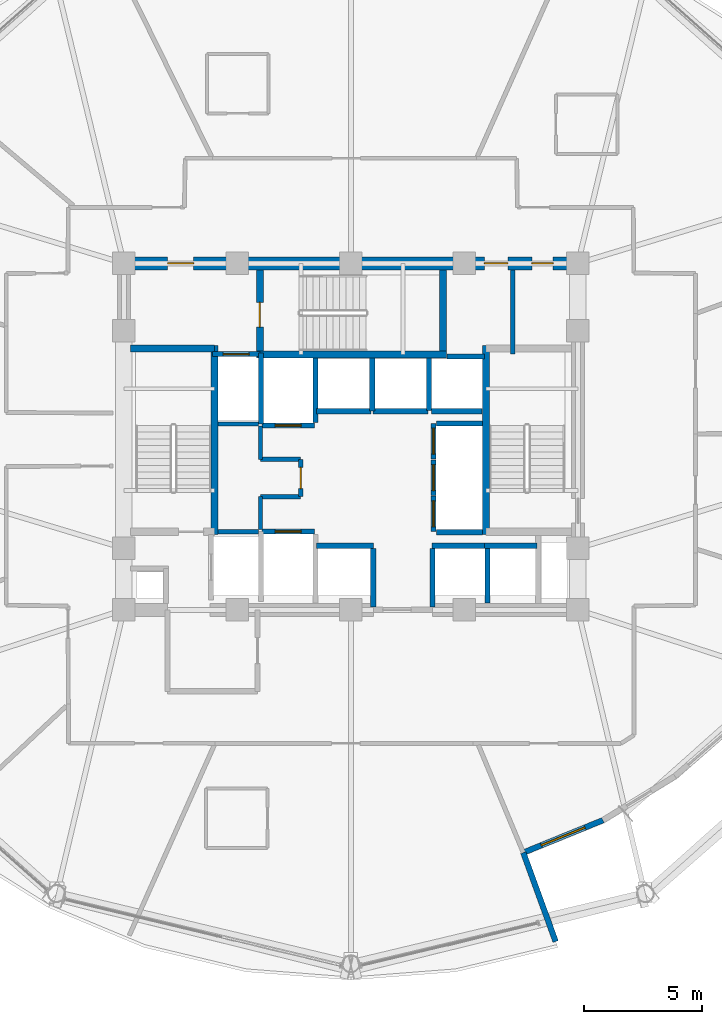
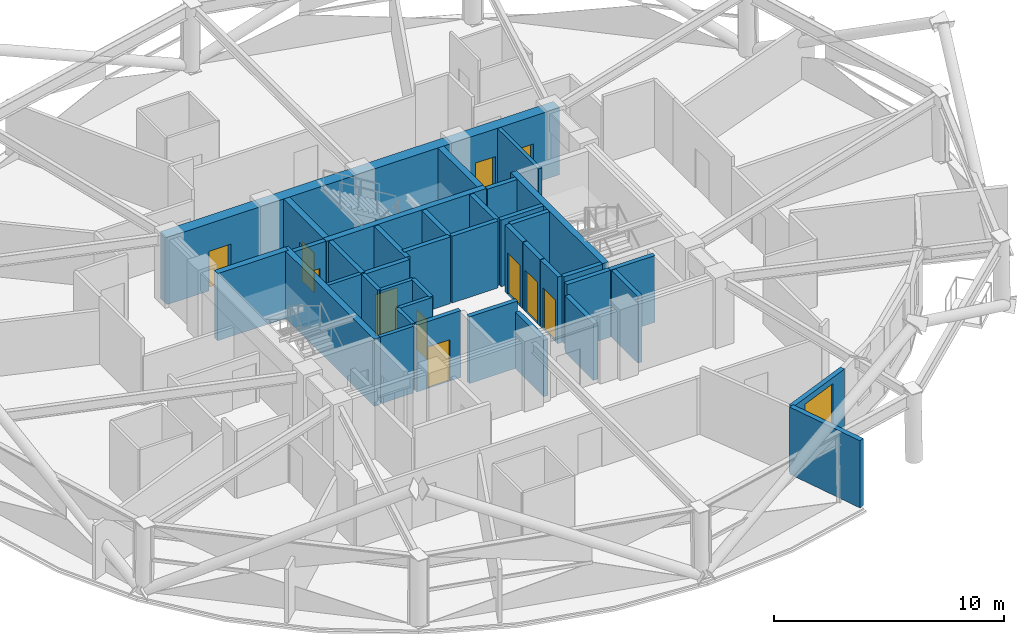
# One storey, part 11 of 17: 39 walls, 11 doors, 1 window, 12 openings.
"""IFC4 building model written with IfcOpenShell, lengths in metres."""

from ifc_helpers import new_model, si_unit, direction, frame, frame_2d, origin, place, context, subcontext, project, spatial, rectangle, extrude, material, layer, layer_set, type_object, element, fill, save


model = new_model("IFC4")

# Units and contexts
model_context = context("Model", 3, precision=1e-05, world=origin(), true_north=direction((0.0, 1.0)))
body_context = subcontext(model_context, "Body", "Model", "MODEL_VIEW")
ifc_project = project(units=[si_unit("LENGTHUNIT", "METRE"), si_unit("AREAUNIT", "SQUARE_METRE"), si_unit("VOLUMEUNIT", "CUBIC_METRE"), si_unit("PLANEANGLEUNIT", "RADIAN"), si_unit("MASSUNIT", "GRAM", prefix="KILO")], contexts=[model_context])

# Site, building, storey
site_placement = place(None, origin())
site = spatial("IfcSite", under=ifc_project, at=site_placement, CompositionType="ELEMENT")
building_placement = place(site_placement, origin())
building = spatial("IfcBuilding", under=site, at=building_placement, Name="Vantalir Tower", CompositionType="ELEMENT")
storey_placement = place(building_placement, frame((0.0, 0.0, 142.199951171875)))
storey = spatial("IfcBuildingStorey", under=building, at=storey_placement, Name="L35", CompositionType="ELEMENT", Elevation=142.199951171875)

# Wall, openings, doors
ifc_material_1 = material(Name="Concrete C60/75", Category="concrete")
ifc_layer_1 = layer(ifc_material_1, 0.550048828125)
ifc_layer_set_1 = layer_set([ifc_layer_1], Name="Concrete C60/75")
wall_type_1 = type_object("IfcWallType", Name="WL-CORE-550", PredefinedType="SHEAR", material=ifc_layer_set_1)
wall_1_placement = place(storey_placement, frame((21.625, 32.449951171875, 0.0), z_axis=(0.0, 0.0, 1.0), x_axis=(1.0, 0.0, 0.0)))
wall_1 = element("IfcWall", 1, at=wall_1_placement, inside=storey, type_object=wall_type_1, Name="L35 Core Shear Wall North", PredefinedType="SHEAR", context=body_context, shape_type="SweptSolid", body=[
    extrude(rectangle(XDim=19.75, YDim=0.550048828125, at=frame_2d((9.875, 0.0))), origin(), (0.0, 0.0, 1.0), 3.570068359375),
])
opening_1_placement = place(wall_1_placement, frame((2.125, 0.0, 0.0)))
opening_1 = element("IfcOpeningElement", 2, at=opening_1_placement, cuts=wall_1, Name="Opening D-FFL", PredefinedType="OPENING", context=body_context, shape_type="SweptSolid", body=[
    extrude(rectangle(XDim=1.10009765625, YDim=2.10009765625, at=frame_2d((0.550048828125, 1.050048828125))), frame((0.0, 0.284912109375, 0.0), z_axis=(0.0, -1.0, 0.0), x_axis=(1.0, 0.0, 0.0)), (0.0, 0.0, 1.0), 0.570068359375),
])
opening_2_placement = place(wall_1_placement, frame((15.514892578125, 0.0, 0.0)))
opening_2 = element("IfcOpeningElement", 3, at=opening_2_placement, cuts=wall_1, Name="Opening D-GUEST", PredefinedType="OPENING", context=body_context, shape_type="SweptSolid", body=[
    extrude(rectangle(XDim=1.0, YDim=2.10009765625, at=frame_2d((0.5, 1.050048828125))), frame((0.0, 0.284912109375, 0.0), z_axis=(0.0, -1.0, 0.0), x_axis=(1.0, 0.0, 0.0)), (0.0, 0.0, 1.0), 0.570068359375),
])
opening_3_placement = place(wall_1_placement, frame((17.52490234375, 0.0, 0.0)))
opening_3 = element("IfcOpeningElement", 4, at=opening_3_placement, cuts=wall_1, Name="Opening D-CR", PredefinedType="OPENING", context=body_context, shape_type="SweptSolid", body=[
    extrude(rectangle(XDim=0.89990234375, YDim=2.10009765625, at=frame_2d((0.449951171875, 1.050048828125))), frame((0.0, 0.284912109375, 0.0), z_axis=(0.0, -1.0, 0.0), x_axis=(1.0, 0.0, 0.0)), (0.0, 0.0, 1.0), 0.570068359375),
])
ifc_material_2 = material(Name="Fire-rated steel core service door", Category="steel")
door_type_1 = type_object("IfcDoorType", Name="DR-CORE-SERV-900", OperationType="NOTDEFINED", PredefinedType="DOOR", material=ifc_material_2)
door_1_placement = place(opening_3_placement, frame((0.89990234375, 0.0, 0.0), z_axis=(0.0, 0.0, 1.0), x_axis=(-1.0, 0.0, 0.0)))
door_1 = element("IfcDoor", 5, at=door_1_placement, inside=storey, type_object=door_type_1, Name="L35 Housekeeping and Linen Room Door", OperationType="SINGLE_SWING_RIGHT", OverallHeight=2.10009765625, OverallWidth=0.89990234375, PredefinedType="DOOR", context=body_context, shape_type="SweptSolid", body=[
    extrude(rectangle(XDim=0.89990234375, YDim=2.10009765625, at=frame_2d((0.449951171875, 1.050048828125))), frame((0.0, 0.02490234375, 0.0), z_axis=(0.0, -1.0, 0.0), x_axis=(1.0, 0.0, 0.0)), (0.0, 0.0, 1.0), 0.050048828125),
])
fill(opening_3, door_1)
ifc_material_3 = material(Name="Fire-rated acoustic steel door", Category="steel")
door_type_2 = type_object("IfcDoorType", Name="DR-FIRE-LOBBY-1100", OperationType="NOTDEFINED", PredefinedType="DOOR", material=ifc_material_3)
door_2_placement = place(opening_1_placement, frame((1.10009765625, 0.0, 0.0), z_axis=(0.0, 0.0, 1.0), x_axis=(-1.0, 0.0, 0.0)))
door_2 = element("IfcDoor", 6, at=door_2_placement, inside=storey, type_object=door_type_2, Name="L35 Firefighting Lobby East Access Door", OperationType="SINGLE_SWING_LEFT", OverallHeight=2.10009765625, OverallWidth=1.10009765625, PredefinedType="DOOR", context=body_context, shape_type="SweptSolid", body=[
    extrude(rectangle(XDim=1.10009765625, YDim=2.10009765625, at=frame_2d((0.550048828125, 1.050048828125))), frame((0.0, 0.02490234375, 0.0), z_axis=(0.0, -1.0, 0.0), x_axis=(1.0, 0.0, 0.0)), (0.0, 0.0, 1.0), 0.050048828125),
])
fill(opening_1, door_2)
ifc_material_4 = material(Name="Solid-core teak veneer acoustic fire door", Category="wood")
door_type_3 = type_object("IfcDoorType", Name="DR-GUEST-ENTRY-1000", OperationType="NOTDEFINED", PredefinedType="DOOR", material=ifc_material_4)
door_3_placement = place(opening_2_placement, frame((1.0, 0.0, 0.0), z_axis=(0.0, 0.0, 1.0), x_axis=(-1.0, 0.0, 0.0)))
door_3 = element("IfcDoor", 7, at=door_3_placement, inside=storey, type_object=door_type_3, Name="L35 High-Rise Lift Lobby Door", OperationType="SINGLE_SWING_LEFT", OverallHeight=2.10009765625, OverallWidth=1.0, PredefinedType="DOOR", context=body_context, shape_type="SweptSolid", body=[
    extrude(rectangle(XDim=1.0, YDim=2.10009765625, at=frame_2d((0.5, 1.050048828125))), frame((0.0, 0.02490234375, 0.0), z_axis=(0.0, -1.0, 0.0), x_axis=(1.0, 0.0, 0.0)), (0.0, 0.0, 1.0), 0.050048828125),
])
fill(opening_2, door_3)

# Wall
ifc_material_5 = material(Name="Precast concrete C40/50 insulated sky-garden wall", Category="concrete")
ifc_layer_2 = layer(ifc_material_5, 0.239990234375)
ifc_layer_set_2 = layer_set([ifc_layer_2], Name="Precast concrete C40/50 insulated sky-garden wall")
wall_type_2 = type_object("IfcWallType", Name="WL-EXT-SG-240", PredefinedType="SOLIDWALL", material=ifc_layer_set_2)
wall_2_placement = place(storey_placement, frame((40.158935546875, 3.77197265625, 0.0), z_axis=(0.0, 0.0, 1.0), x_axis=(-0.341963571582, 0.939713209288, 0.0)))
element("IfcWall", 8, at=wall_2_placement, inside=storey, type_object=wall_type_2, Name="L35 SG2 Sky-Garden Return Wall A", PredefinedType="SOLIDWALL", context=body_context, shape_type="SweptSolid", body=[
    extrude(rectangle(XDim=4.000244140625, YDim=0.239990234375, at=frame_2d((2.0, 0.0))), origin(), (0.0, 0.0, 1.0), 3.570068359375),
])

# Wall, opening, window
wall_3_placement = place(storey_placement, frame((38.791015625, 7.531005859375, 0.0), z_axis=(0.0, 0.0, 1.0), x_axis=(0.926307714527, 0.37676785692, 0.0)))
wall_3 = element("IfcWall", 9, at=wall_3_placement, inside=storey, type_object=wall_type_2, Name="L35 SG2 Sky-Garden Lounge Wall 1", PredefinedType="SOLIDWALL", context=body_context, shape_type="SweptSolid", body=[
    extrude(rectangle(XDim=3.6357421875, YDim=0.239990234375, at=frame_2d((1.81787109375, 0.0))), origin(), (0.0, 0.0, 1.0), 3.570068359375),
])
opening_4_placement = place(wall_3_placement, frame((0.818115234375, 0.0, 0.85009765625)))
opening_4 = element("IfcOpeningElement", 10, at=opening_4_placement, cuts=wall_3, Name="Opening WN-3", PredefinedType="OPENING", context=body_context, shape_type="SweptSolid", body=[
    extrude(rectangle(XDim=2.0, YDim=2.39990234375, at=frame_2d((1.0, 1.199951171875))), frame((0.0, 0.1298828125, 0.0), z_axis=(0.0, -1.0, 0.0), x_axis=(1.0, 0.0, 0.0)), (0.0, 0.0, 1.0), 0.260009765625),
])
ifc_material_6 = material(Name="Double-silver Low-E sky-garden lounge window", Category="glass")
window_type = type_object("IfcWindowType", Name="WIN-SG-2000x2400", PartitioningType="SINGLE_PANEL", PredefinedType="WINDOW", material=ifc_material_6)
window_placement = place(opening_4_placement, origin())
window = element("IfcWindow", 11, at=window_placement, inside=storey, type_object=window_type, Name="L35 SG2 Sky-Garden Window 1", OverallHeight=2.39990234375, OverallWidth=2.0, PartitioningType="SINGLE_PANEL", PredefinedType="WINDOW", context=body_context, shape_type="SweptSolid", body=[
    extrude(rectangle(XDim=2.0, YDim=2.39990234375, at=frame_2d((1.0, 1.199951171875))), frame((0.0, 0.030029296875, 0.0), z_axis=(0.0, -1.0, 0.0), x_axis=(1.0, 0.0, 0.0)), (0.0, 0.0, 1.0), 0.06005859375),
])
fill(opening_4, window)

# Walls
ifc_material_7 = material(Name="Concrete blockwork with fireboard lining", Category="masonry")
ifc_layer_3 = layer(ifc_material_7, 0.219970703125)
ifc_layer_set_3 = layer_set([ifc_layer_3], Name="Concrete blockwork with fireboard lining")
wall_type_3 = type_object("IfcWallType", Name="WL-FFL-220", PredefinedType="PARTITIONING", material=ifc_layer_set_3)
for number, where, z_axis, x_axis, name in (
    (12, (32.449951171875, 17.919921875, 0.0), (0.0, 0.0, 1.0), (0.0, 1.0, 0.0), "L35 Shuttle Lift PL-X1 East Shaft Cheek"),
    (13, (34.949951171875, 17.919921875, 0.0), (0.0, 0.0, 1.0), (0.0, 1.0, 0.0), "L35 Shuttle Lift PL-X3 West Shaft Cheek"),
):
    element("IfcWall", number, at=place(storey_placement, frame(where, z_axis=z_axis, x_axis=x_axis)), inside=storey, type_object=wall_type_3, Name=name, PredefinedType="PARTITIONING", context=body_context, shape_type="SweptSolid", body=[
        extrude(rectangle(XDim=2.469970703125, YDim=0.219970703125, at=frame_2d((1.23486328125, 0.0))), origin(), (0.0, 0.0, 1.0), 3.006103515625),
    ])
wall_4_placement = place(storey_placement, frame((37.27490234375, 18.080078125, 0.0), z_axis=(0.0, 0.0, 1.0), x_axis=(0.0, 1.0, 0.0)))
element("IfcWall", 14, at=wall_4_placement, inside=storey, type_object=wall_type_3, Name="L35 Shuttle Lift PL-X2/X3 Shaft Divider", PredefinedType="PARTITIONING", context=body_context, shape_type="SweptSolid", body=[
    extrude(rectangle(XDim=2.309814453125, YDim=0.219970703125, at=frame_2d((1.15478515625, 0.0))), origin(), (0.0, 0.0, 1.0), 3.545166015625),
])
wall_5_placement = place(storey_placement, frame((30.0, 25.7099609375, 0.0), z_axis=(0.0, 0.0, 1.0), x_axis=(0.0, 1.0, 0.0)))
element("IfcWall", 15, at=wall_5_placement, inside=storey, type_object=wall_type_3, Name="L35 Service Lift SV2 East Shaft Wall", PredefinedType="PARTITIONING", context=body_context, shape_type="SweptSolid", body=[
    extrude(rectangle(XDim=2.72998046875, YDim=0.219970703125, at=frame_2d((1.364990234375, 0.0))), origin(), (0.0, 0.0, 1.0), 3.545166015625),
])
wall_6_placement = place(storey_placement, frame((32.39990234375, 26.199951171875, 0.0), z_axis=(0.0, 0.0, 1.0), x_axis=(0.0, 1.0, 0.0)))
element("IfcWall", 16, at=wall_6_placement, inside=storey, type_object=wall_type_3, Name="L35 High-Rise Lift PL-H1/H2 Shaft Divider", PredefinedType="PARTITIONING", context=body_context, shape_type="SweptSolid", body=[
    extrude(rectangle(XDim=2.239990234375, YDim=0.219970703125, at=frame_2d((1.1201171875, 0.0))), origin(), (0.0, 0.0, 1.0), 3.545166015625),
])
wall_7_placement = place(storey_placement, frame((34.800048828125, 26.22998046875, 0.0), z_axis=(0.0, 0.0, 1.0), x_axis=(0.0, 1.0, 0.0)))
element("IfcWall", 17, at=wall_7_placement, inside=storey, type_object=wall_type_3, Name="L35 High-Rise Lift PL-H2/H3 Shaft Divider", PredefinedType="PARTITIONING", context=body_context, shape_type="SweptSolid", body=[
    extrude(rectangle(XDim=2.2099609375, YDim=0.219970703125, at=frame_2d((1.10498046875, 0.0))), origin(), (0.0, 0.0, 1.0), 3.545166015625),
])
wall_8_placement = place(storey_placement, frame((34.909912109375, 26.18994140625, 0.0), z_axis=(0.0, 0.0, 1.0), x_axis=(1.0, 0.0, 0.0)))
element("IfcWall", 18, at=wall_8_placement, inside=storey, type_object=wall_type_3, Name="L35 High-Rise Lift PL-H3 Rear Shaft Wall", PredefinedType="PARTITIONING", context=body_context, shape_type="SweptSolid", body=[
    extrude(rectangle(XDim=2.14013671875, YDim=0.219970703125, at=frame_2d((1.070068359375, 0.0))), origin(), (0.0, 0.0, 1.0), 3.545166015625),
])

# Wall, opening, door
wall_9_placement = place(storey_placement, frame((25.639892578125, 28.610107421875, 0.0), z_axis=(0.0, 0.0, 1.0), x_axis=(1.0, 0.0, 0.0)))
wall_9 = element("IfcWall", 19, at=wall_9_placement, inside=storey, type_object=wall_type_3, Name="L35 Lift FL2 Shaft Front Wall", PredefinedType="PARTITIONING", context=body_context, shape_type="SweptSolid", body=[
    extrude(rectangle(XDim=2.02001953125, YDim=0.219970703125, at=frame_2d((1.010009765625, 0.0))), origin(), (0.0, 0.0, 1.0), 3.550048828125),
])
opening_5_placement = place(wall_9_placement, frame((0.4599609375, 0.0, 0.0)))
opening_5 = element("IfcOpeningElement", 20, at=opening_5_placement, cuts=wall_9, Name="Opening LD-FL2", PredefinedType="OPENING", context=body_context, shape_type="SweptSolid", body=[
    extrude(rectangle(XDim=1.10009765625, YDim=2.199951171875, at=frame_2d((0.550048828125, 1.10009765625))), frame((0.0, 0.119873046875, 0.0), z_axis=(0.0, -1.0, 0.0), x_axis=(1.0, 0.0, 0.0)), (0.0, 0.0, 1.0), 0.239990234375),
])
ifc_material_8 = material(Name="Brushed stainless-steel sliding lift landing door", Category="steel")
door_type_4 = type_object("IfcDoorType", Name="DR-LIFT-LANDING-1100", OperationType="DOUBLE_DOOR_SLIDING", PredefinedType="DOOR", material=ifc_material_8)
door_4_placement = place(opening_5_placement, origin())
door_4 = element("IfcDoor", 21, at=door_4_placement, inside=storey, type_object=door_type_4, Name="L35 Lift Landing Door FL2", OperationType="DOUBLE_DOOR_SLIDING", OverallHeight=2.199951171875, OverallWidth=1.10009765625, PredefinedType="DOOR", context=body_context, shape_type="SweptSolid", body=[
    extrude(rectangle(XDim=1.10009765625, YDim=2.199951171875, at=frame_2d((0.550048828125, 1.10009765625))), frame((0.0, 0.02490234375, 0.0), z_axis=(0.0, -1.0, 0.0), x_axis=(1.0, 0.0, 0.0)), (0.0, 0.0, 1.0), 0.050048828125),
])
fill(opening_5, door_4)

wall_10_placement = place(storey_placement, frame((27.739990234375, 21.110107421875, 0.0), z_axis=(0.0, 0.0, 1.0), x_axis=(1.0, 0.0, 0.0)))
wall_10 = element("IfcWall", 22, at=wall_10_placement, inside=storey, type_object=wall_type_3, Name="L35 Lift SV1 Shaft Front Wall", PredefinedType="PARTITIONING", context=body_context, shape_type="SweptSolid", body=[
    extrude(rectangle(XDim=2.219970703125, YDim=0.219970703125, at=frame_2d((1.10986328125, 0.0))), origin(), (0.0, 0.0, 1.0), 3.550048828125),
])
opening_6_placement = place(wall_10_placement, frame((0.56005859375, 0.0, 0.0)))
opening_6 = element("IfcOpeningElement", 23, at=opening_6_placement, cuts=wall_10, Name="Opening LD-SV1", PredefinedType="OPENING", context=body_context, shape_type="SweptSolid", body=[
    extrude(rectangle(XDim=1.10009765625, YDim=2.199951171875, at=frame_2d((0.550048828125, 1.10009765625))), frame((0.0, 0.119873046875, 0.0), z_axis=(0.0, -1.0, 0.0), x_axis=(1.0, 0.0, 0.0)), (0.0, 0.0, 1.0), 0.239990234375),
])
door_5_placement = place(opening_6_placement, origin())
door_5 = element("IfcDoor", 24, at=door_5_placement, inside=storey, type_object=door_type_4, Name="L35 Lift Landing Door SV1", OperationType="DOUBLE_DOOR_SLIDING", OverallHeight=2.199951171875, OverallWidth=1.10009765625, PredefinedType="DOOR", context=body_context, shape_type="SweptSolid", body=[
    extrude(rectangle(XDim=1.10009765625, YDim=2.199951171875, at=frame_2d((0.550048828125, 1.10009765625))), frame((0.0, 0.02490234375, 0.0), z_axis=(0.0, -1.0, 0.0), x_axis=(1.0, 0.0, 0.0)), (0.0, 0.0, 1.0), 0.050048828125),
])
fill(opening_6, door_5)

wall_11_placement = place(storey_placement, frame((27.739990234375, 25.590087890625, 0.0), z_axis=(0.0, 0.0, 1.0), x_axis=(1.0, 0.0, 0.0)))
wall_11 = element("IfcWall", 25, at=wall_11_placement, inside=storey, type_object=wall_type_3, Name="L35 Lift SV2 Shaft Front Wall", PredefinedType="PARTITIONING", context=body_context, shape_type="SweptSolid", body=[
    extrude(rectangle(XDim=2.219970703125, YDim=0.219970703125, at=frame_2d((1.10986328125, 0.0))), origin(), (0.0, 0.0, 1.0), 3.550048828125),
])
opening_7_placement = place(wall_11_placement, frame((0.56005859375, 0.0, 0.0)))
opening_7 = element("IfcOpeningElement", 26, at=opening_7_placement, cuts=wall_11, Name="Opening LD-SV2", PredefinedType="OPENING", context=body_context, shape_type="SweptSolid", body=[
    extrude(rectangle(XDim=1.10009765625, YDim=2.199951171875, at=frame_2d((0.550048828125, 1.10009765625))), frame((0.0, 0.119873046875, 0.0), z_axis=(0.0, -1.0, 0.0), x_axis=(1.0, 0.0, 0.0)), (0.0, 0.0, 1.0), 0.239990234375),
])
door_6_placement = place(opening_7_placement, frame((1.10009765625, 0.0, 0.0), z_axis=(0.0, 0.0, 1.0), x_axis=(-1.0, 0.0, 0.0)))
door_6 = element("IfcDoor", 27, at=door_6_placement, inside=storey, type_object=door_type_4, Name="L35 Lift Landing Door SV2", OperationType="DOUBLE_DOOR_SLIDING", OverallHeight=2.199951171875, OverallWidth=1.10009765625, PredefinedType="DOOR", context=body_context, shape_type="SweptSolid", body=[
    extrude(rectangle(XDim=1.10009765625, YDim=2.199951171875, at=frame_2d((0.550048828125, 1.10009765625))), frame((0.0, 0.02490234375, 0.0), z_axis=(0.0, -1.0, 0.0), x_axis=(1.0, 0.0, 0.0)), (0.0, 0.0, 1.0), 0.050048828125),
])
fill(opening_7, door_6)

# Walls
wall_12_placement = place(storey_placement, frame((30.0400390625, 20.510009765625, 0.0), z_axis=(0.0, 0.0, 1.0), x_axis=(1.0, 0.0, 0.0)))
element("IfcWall", 28, at=wall_12_placement, inside=storey, type_object=wall_type_3, Name="L35 Lift PL-X1 Shaft Front Wall", PredefinedType="PARTITIONING", context=body_context, shape_type="SweptSolid", body=[
    extrude(rectangle(XDim=2.419921875, YDim=0.219970703125, at=frame_2d((1.2099609375, 0.0))), origin(), (0.0, 0.0, 1.0), 3.550048828125),
])
for number, where, z_axis, x_axis, name in (
    (29, (37.139892578125, 20.510009765625, 0.0), (0.0, 0.0, 1.0), (1.0, 0.0, 0.0), "L35 Lift PL-X2 Shaft Rear Wall"),
    (30, (34.93994140625, 20.510009765625, 0.0), (0.0, 0.0, 1.0), (1.0, 0.0, 0.0), "L35 Lift PL-X3 Shaft Front Wall"),
):
    element("IfcWall", number, at=place(storey_placement, frame(where, z_axis=z_axis, x_axis=x_axis)), inside=storey, type_object=wall_type_3, Name=name, PredefinedType="PARTITIONING", context=body_context, shape_type="SweptSolid", body=[
        extrude(rectangle(XDim=2.239990234375, YDim=0.219970703125, at=frame_2d((1.1201171875, 0.0))), origin(), (0.0, 0.0, 1.0), 3.550048828125),
    ])
for number, where, z_axis, x_axis, name in (
    (31, (30.0400390625, 26.18994140625, 0.0), (0.0, 0.0, 1.0), (1.0, 0.0, 0.0), "L35 Lift PL-H1 Shaft Front Wall"),
    (32, (32.43994140625, 26.18994140625, 0.0), (0.0, 0.0, 1.0), (1.0, 0.0, 0.0), "L35 Lift PL-H2 Shaft Front Wall"),
):
    element("IfcWall", number, at=place(storey_placement, frame(where, z_axis=z_axis, x_axis=x_axis)), inside=storey, type_object=wall_type_3, Name=name, PredefinedType="PARTITIONING", context=body_context, shape_type="SweptSolid", body=[
        extrude(rectangle(XDim=2.320068359375, YDim=0.219970703125, at=frame_2d((1.16015625, 0.0))), origin(), (0.0, 0.0, 1.0), 3.550048828125),
    ])
wall_13_placement = place(storey_placement, frame((35.56005859375, 28.510009765625, 0.0), z_axis=(0.0, 0.0, 1.0), x_axis=(1.0, 0.0, 0.0)))
element("IfcWall", 33, at=wall_13_placement, inside=storey, type_object=wall_type_3, Name="L35 Lift PL-H3 Shaft Front Wall", PredefinedType="PARTITIONING", context=body_context, shape_type="SweptSolid", body=[
    extrude(rectangle(XDim=1.599853515625, YDim=0.219970703125, at=frame_2d((0.7998046875, 0.0))), origin(), (0.0, 0.0, 1.0), 3.550048828125),
])

# Wall, opening, door
wall_14_placement = place(storey_placement, frame((34.989990234375, 21.10009765625, 0.0), z_axis=(0.0, 0.0, 1.0), x_axis=(0.0, 1.0, 0.0)))
wall_14 = element("IfcWall", 34, at=wall_14_placement, inside=storey, type_object=wall_type_3, Name="L35 Lift PL-M1 Shaft Front Wall", PredefinedType="PARTITIONING", context=body_context, shape_type="SweptSolid", body=[
    extrude(rectangle(XDim=1.5, YDim=0.219970703125, at=frame_2d((0.75, 0.0))), origin(), (0.0, 0.0, 1.0), 3.550048828125),
])
opening_8_placement = place(wall_14_placement, frame((0.199951171875, 0.0, 0.0)))
opening_8 = element("IfcOpeningElement", 35, at=opening_8_placement, cuts=wall_14, Name="Opening LD-PL-M1", PredefinedType="OPENING", context=body_context, shape_type="SweptSolid", body=[
    extrude(rectangle(XDim=1.10009765625, YDim=2.199951171875, at=frame_2d((0.550048828125, 1.10009765625))), frame((0.0, 0.119873046875, 0.0), z_axis=(0.0, -1.0, 0.0), x_axis=(1.0, 0.0, 0.0)), (0.0, 0.0, 1.0), 0.239990234375),
])
door_7_placement = place(opening_8_placement, origin())
door_7 = element("IfcDoor", 36, at=door_7_placement, inside=storey, type_object=door_type_4, Name="L35 Lift Landing Door PL-M1", OperationType="DOUBLE_DOOR_SLIDING", OverallHeight=2.199951171875, OverallWidth=1.10009765625, PredefinedType="DOOR", context=body_context, shape_type="SweptSolid", body=[
    extrude(rectangle(XDim=1.10009765625, YDim=2.199951171875, at=frame_2d((0.550048828125, 1.10009765625))), frame((0.0, 0.02490234375, 0.0), z_axis=(0.0, -1.0, 0.0), x_axis=(1.0, 0.0, 0.0)), (0.0, 0.0, 1.0), 0.050048828125),
])
fill(opening_8, door_7)

wall_15_placement = place(storey_placement, frame((34.989990234375, 22.639892578125, 0.0), z_axis=(0.0, 0.0, 1.0), x_axis=(0.0, 1.0, 0.0)))
wall_15 = element("IfcWall", 37, at=wall_15_placement, inside=storey, type_object=wall_type_3, Name="L35 Lift PL-M2 Shaft Front Wall", PredefinedType="PARTITIONING", context=body_context, shape_type="SweptSolid", body=[
    extrude(rectangle(XDim=1.5, YDim=0.219970703125, at=frame_2d((0.75, 0.0))), origin(), (0.0, 0.0, 1.0), 3.550048828125),
])
opening_9_placement = place(wall_15_placement, frame((0.199951171875, 0.0, 0.0)))
opening_9 = element("IfcOpeningElement", 38, at=opening_9_placement, cuts=wall_15, Name="Opening LD-PL-M2", PredefinedType="OPENING", context=body_context, shape_type="SweptSolid", body=[
    extrude(rectangle(XDim=1.10009765625, YDim=2.199951171875, at=frame_2d((0.550048828125, 1.10009765625))), frame((0.0, 0.119873046875, 0.0), z_axis=(0.0, -1.0, 0.0), x_axis=(1.0, 0.0, 0.0)), (0.0, 0.0, 1.0), 0.239990234375),
])
door_8_placement = place(opening_9_placement, origin())
door_8 = element("IfcDoor", 39, at=door_8_placement, inside=storey, type_object=door_type_4, Name="L35 Lift Landing Door PL-M2", OperationType="DOUBLE_DOOR_SLIDING", OverallHeight=2.199951171875, OverallWidth=1.10009765625, PredefinedType="DOOR", context=body_context, shape_type="SweptSolid", body=[
    extrude(rectangle(XDim=1.10009765625, YDim=2.199951171875, at=frame_2d((0.550048828125, 1.10009765625))), frame((0.0, 0.02490234375, 0.0), z_axis=(0.0, -1.0, 0.0), x_axis=(1.0, 0.0, 0.0)), (0.0, 0.0, 1.0), 0.050048828125),
])
fill(opening_9, door_8)

wall_16_placement = place(storey_placement, frame((34.989990234375, 24.179931640625, 0.0), z_axis=(0.0, 0.0, 1.0), x_axis=(0.0, 1.0, 0.0)))
wall_16 = element("IfcWall", 40, at=wall_16_placement, inside=storey, type_object=wall_type_3, Name="L35 Lift PL-M3 Shaft Front Wall", PredefinedType="PARTITIONING", context=body_context, shape_type="SweptSolid", body=[
    extrude(rectangle(XDim=1.5, YDim=0.219970703125, at=frame_2d((0.75, 0.0))), origin(), (0.0, 0.0, 1.0), 3.550048828125),
])
opening_10_placement = place(wall_16_placement, frame((0.199951171875, 0.0, 0.0)))
opening_10 = element("IfcOpeningElement", 41, at=opening_10_placement, cuts=wall_16, Name="Opening LD-PL-M3", PredefinedType="OPENING", context=body_context, shape_type="SweptSolid", body=[
    extrude(rectangle(XDim=1.10009765625, YDim=2.199951171875, at=frame_2d((0.550048828125, 1.10009765625))), frame((0.0, 0.119873046875, 0.0), z_axis=(0.0, -1.0, 0.0), x_axis=(1.0, 0.0, 0.0)), (0.0, 0.0, 1.0), 0.239990234375),
])
door_9_placement = place(opening_10_placement, origin())
door_9 = element("IfcDoor", 42, at=door_9_placement, inside=storey, type_object=door_type_4, Name="L35 Lift Landing Door PL-M3", OperationType="DOUBLE_DOOR_SLIDING", OverallHeight=2.199951171875, OverallWidth=1.10009765625, PredefinedType="DOOR", context=body_context, shape_type="SweptSolid", body=[
    extrude(rectangle(XDim=1.10009765625, YDim=2.199951171875, at=frame_2d((0.550048828125, 1.10009765625))), frame((0.0, 0.02490234375, 0.0), z_axis=(0.0, -1.0, 0.0), x_axis=(1.0, 0.0, 0.0)), (0.0, 0.0, 1.0), 0.050048828125),
])
fill(opening_10, door_9)

# Walls
wall_17_placement = place(storey_placement, frame((27.699951171875, 25.64990234375, 0.0), z_axis=(0.0, 0.0, 1.0), x_axis=(0.0, 1.0, 0.0)))
element("IfcWall", 43, at=wall_17_placement, inside=storey, type_object=wall_type_3, Name="L35 Fire Lift FL2 Dividing Wall", PredefinedType="PARTITIONING", context=body_context, shape_type="SweptSolid", body=[
    extrude(rectangle(XDim=3.0, YDim=0.219970703125, at=frame_2d((1.5, 0.0))), origin(), (0.0, 0.0, 1.0), 3.550048828125),
])
for number, where, z_axis, x_axis, name in (
    (44, (35.1201171875, 21.080078125, 0.0), (0.0, 0.0, 1.0), (1.0, 0.0, 0.0), "L35 Mid-Rise Bank South Wall"),
    (45, (35.1201171875, 25.679931640625, 0.0), (0.0, 0.0, 1.0), (1.0, 0.0, 0.0), "L35 Mid-Rise Bank North Wall"),
):
    element("IfcWall", number, at=place(storey_placement, frame(where, z_axis=z_axis, x_axis=x_axis)), inside=storey, type_object=wall_type_3, Name=name, PredefinedType="PARTITIONING", context=body_context, shape_type="SweptSolid", body=[
        extrude(rectangle(XDim=1.93994140625, YDim=0.219970703125, at=frame_2d((0.969970703125, 0.0))), origin(), (0.0, 0.0, 1.0), 3.550048828125),
    ])
ifc_material_9 = material(Name="Twin-stud acoustic fire-rated gypsum partition", Category="gypsum")
ifc_layer_4 = layer(ifc_material_9, 0.179931640625)
ifc_layer_set_4 = layer_set([ifc_layer_4], Name="Twin-stud acoustic fire-rated gypsum partition")
wall_type_4 = type_object("IfcWallType", Name="WL-GUEST-180", PredefinedType="PARTITIONING", material=ifc_layer_set_4)
for number, where, z_axis, x_axis, name in (
    (46, (25.889892578125, 21.10009765625, 0.0), (0.0, 0.0, 1.0), (1.0, 0.0, 0.0), "L35 Freed West Core South Wall"),
    (47, (25.889892578125, 25.64990234375, 0.0), (0.0, 0.0, 1.0), (1.0, 0.0, 0.0), "L35 Freed West Core North Wall"),
):
    element("IfcWall", number, at=place(storey_placement, frame(where, z_axis=z_axis, x_axis=x_axis)), inside=storey, type_object=wall_type_4, Name=name, PredefinedType="PARTITIONING", context=body_context, shape_type="SweptSolid", body=[
        extrude(rectangle(XDim=1.7001953125, YDim=0.179931640625, at=frame_2d((0.85009765625, 0.0))), origin(), (0.0, 0.0, 1.0), 3.550048828125),
    ])
wall_18_placement = place(storey_placement, frame((27.679931640625, 21.18994140625, 0.0), z_axis=(0.0, 0.0, 1.0), x_axis=(0.0, 1.0, 0.0)))
element("IfcWall", 48, at=wall_18_placement, inside=storey, type_object=wall_type_4, Name="L35 West IT Room Lower East Wall", PredefinedType="PARTITIONING", context=body_context, shape_type="SweptSolid", body=[
    extrude(rectangle(XDim=1.39013671875, YDim=0.179931640625, at=frame_2d((0.695068359375, 0.0))), origin(), (0.0, 0.0, 1.0), 3.550048828125),
])
wall_19_placement = place(storey_placement, frame((27.679931640625, 22.580078125, 0.0), z_axis=(0.0, 0.0, 1.0), x_axis=(1.0, 0.0, 0.0)))
element("IfcWall", 49, at=wall_19_placement, inside=storey, type_object=wall_type_4, Name="L35 West IT Room Alcove South Wall", PredefinedType="PARTITIONING", context=body_context, shape_type="SweptSolid", body=[
    extrude(rectangle(XDim=1.699951171875, YDim=0.179931640625, at=frame_2d((0.85009765625, 0.0))), origin(), (0.0, 0.0, 1.0), 3.550048828125),
])

# Wall, opening, door
wall_20_placement = place(storey_placement, frame((29.3798828125, 22.580078125, 0.0), z_axis=(0.0, 0.0, 1.0), x_axis=(0.0, 1.0, 0.0)))
wall_20 = element("IfcWall", 50, at=wall_20_placement, inside=storey, type_object=wall_type_4, Name="L35 West IT Room Alcove East Wall", PredefinedType="PARTITIONING", context=body_context, shape_type="SweptSolid", body=[
    extrude(rectangle(XDim=1.579833984375, YDim=0.179931640625, at=frame_2d((0.7900390625, 0.0))), origin(), (0.0, 0.0, 1.0), 3.550048828125),
])
opening_11_placement = place(wall_20_placement, frame((0.340087890625, 0.0, 0.0)))
opening_11 = element("IfcOpeningElement", 51, at=opening_11_placement, cuts=wall_20, Name="Opening D-CR", PredefinedType="OPENING", context=body_context, shape_type="SweptSolid", body=[
    extrude(rectangle(XDim=0.89990234375, YDim=2.10009765625, at=frame_2d((0.449951171875, 1.050048828125))), frame((0.0, 0.099853515625, 0.0), z_axis=(0.0, -1.0, 0.0), x_axis=(1.0, 0.0, 0.0)), (0.0, 0.0, 1.0), 0.199951171875),
])
door_10_placement = place(opening_11_placement, origin())
door_10 = element("IfcDoor", 52, at=door_10_placement, inside=storey, type_object=door_type_1, Name="L35 Core IT Comms Door", OperationType="SINGLE_SWING_RIGHT", OverallHeight=2.10009765625, OverallWidth=0.89990234375, PredefinedType="DOOR", context=body_context, shape_type="SweptSolid", body=[
    extrude(rectangle(XDim=0.89990234375, YDim=2.10009765625, at=frame_2d((0.449951171875, 1.050048828125))), frame((0.0, 0.02490234375, 0.0), z_axis=(0.0, -1.0, 0.0), x_axis=(1.0, 0.0, 0.0)), (0.0, 0.0, 1.0), 0.050048828125),
])
fill(opening_11, door_10)

# Walls
wall_21_placement = place(storey_placement, frame((27.679931640625, 24.159912109375, 0.0), z_axis=(0.0, 0.0, 1.0), x_axis=(1.0, 0.0, 0.0)))
element("IfcWall", 53, at=wall_21_placement, inside=storey, type_object=wall_type_4, Name="L35 West IT Room Alcove North Wall", PredefinedType="PARTITIONING", context=body_context, shape_type="SweptSolid", body=[
    extrude(rectangle(XDim=1.699951171875, YDim=0.179931640625, at=frame_2d((0.85009765625, 0.0))), origin(), (0.0, 0.0, 1.0), 3.550048828125),
])
wall_22_placement = place(storey_placement, frame((27.679931640625, 24.159912109375, 0.0), z_axis=(0.0, 0.0, 1.0), x_axis=(0.0, 1.0, 0.0)))
element("IfcWall", 54, at=wall_22_placement, inside=storey, type_object=wall_type_4, Name="L35 West IT Room Upper East Wall", PredefinedType="PARTITIONING", context=body_context, shape_type="SweptSolid", body=[
    extrude(rectangle(XDim=1.400146484375, YDim=0.179931640625, at=frame_2d((0.7001953125, 0.0))), origin(), (0.0, 0.0, 1.0), 3.550048828125),
])
wall_23_placement = place(storey_placement, frame((38.340087890625, 28.6201171875, 0.0), z_axis=(0.0, 0.0, 1.0), x_axis=(0.0, 1.0, 0.0)))
element("IfcWall", 55, at=wall_23_placement, inside=storey, type_object=wall_type_4, Name="L35 High-Rise Lift Lobby East Wall", PredefinedType="PARTITIONING", context=body_context, shape_type="SweptSolid", body=[
    extrude(rectangle(XDim=3.554931640625, YDim=0.179931640625, at=frame_2d((1.77734375, 0.0))), origin(), (0.0, 0.0, 1.0), 3.550048828125),
])
ifc_material_10 = material(Name="Concrete C50/60", Category="concrete")
ifc_layer_5 = layer(ifc_material_10, 0.300048828125)
ifc_layer_set_5 = layer_set([ifc_layer_5], Name="Concrete C50/60")
wall_type_5 = type_object("IfcWallType", Name="WL-STAIR-300", PredefinedType="SHEAR", material=ifc_layer_set_5)
wall_24_placement = place(storey_placement, frame((22.175048828125, 28.85009765625, 0.0), z_axis=(0.0, 0.0, 1.0), x_axis=(1.0, 0.0, 0.0)))
element("IfcWall", 56, at=wall_24_placement, inside=storey, type_object=wall_type_5, Name="L35 Stair ST1 North Wall", PredefinedType="SHEAR", context=body_context, shape_type="SweptSolid", body=[
    extrude(rectangle(XDim=3.56494140625, YDim=0.300048828125, at=frame_2d((1.782470703125, 0.0))), origin(), (0.0, 0.0, 1.0), 3.570068359375),
])
for number, where, z_axis, x_axis, name in (
    (57, (25.739990234375, 20.97998046875, 0.0), (0.0, 0.0, 1.0), (0.0, 1.0, 0.0), "L35 Stair ST1 East Wall"),
    (58, (37.2099609375, 20.97998046875, 0.0), (0.0, 0.0, 1.0), (0.0, 1.0, 0.0), "L35 Stair ST2 West Wall"),
):
    element("IfcWall", number, at=place(storey_placement, frame(where, z_axis=z_axis, x_axis=x_axis)), inside=storey, type_object=wall_type_5, Name=name, PredefinedType="SHEAR", context=body_context, shape_type="SweptSolid", body=[
        extrude(rectangle(XDim=7.989990234375, YDim=0.300048828125, at=frame_2d((3.9951171875, 0.0))), origin(), (0.0, 0.0, 1.0), 3.570068359375),
    ])
wall_25_placement = place(storey_placement, frame((27.510009765625, 28.60009765625, 0.0), z_axis=(0.0, 0.0, 1.0), x_axis=(1.0, 0.0, 0.0)))
element("IfcWall", 59, at=wall_25_placement, inside=storey, type_object=wall_type_5, Name="L35 Stair ST3 South Wall", PredefinedType="SHEAR", context=body_context, shape_type="SweptSolid", body=[
    extrude(rectangle(XDim=8.030029296875, YDim=0.300048828125, at=frame_2d((4.01513671875, 0.0))), origin(), (0.0, 0.0, 1.0), 3.570068359375),
])

# Wall, opening, door
wall_26_placement = place(storey_placement, frame((27.64990234375, 28.75, 0.0), z_axis=(0.0, 0.0, 1.0), x_axis=(0.0, 1.0, 0.0)))
wall_26 = element("IfcWall", 60, at=wall_26_placement, inside=storey, type_object=wall_type_5, Name="L35 Stair ST3 West Wall", PredefinedType="SHEAR", context=body_context, shape_type="SweptSolid", body=[
    extrude(rectangle(XDim=3.425048828125, YDim=0.300048828125, at=frame_2d((1.71240234375, 0.0))), origin(), (0.0, 0.0, 1.0), 3.570068359375),
])
opening_12_placement = place(wall_26_placement, frame((1.0, 0.0, 0.0)))
opening_12 = element("IfcOpeningElement", 61, at=opening_12_placement, cuts=wall_26, Name="Opening D-ST", PredefinedType="OPENING", context=body_context, shape_type="SweptSolid", body=[
    extrude(rectangle(XDim=1.050048828125, YDim=2.10009765625, at=frame_2d((0.52490234375, 1.050048828125))), frame((0.0, 0.159912109375, 0.0), z_axis=(0.0, -1.0, 0.0), x_axis=(1.0, 0.0, 0.0)), (0.0, 0.0, 1.0), 0.320068359375),
])
ifc_material_11 = material(Name="Fire-rated steel door leaf", Category="steel")
door_type_5 = type_object("IfcDoorType", Name="DR-FIRE-STAIR-1050", OperationType="NOTDEFINED", PredefinedType="DOOR", material=ifc_material_11)
door_11_placement = place(opening_12_placement, frame((1.050048828125, 0.0, 0.0), z_axis=(0.0, 0.0, 1.0), x_axis=(-1.0, 0.0, 0.0)))
door_11 = element("IfcDoor", 62, at=door_11_placement, inside=storey, type_object=door_type_5, Name="L35 Exit Stair ST3 Fire Door", OperationType="SINGLE_SWING_RIGHT", OverallHeight=2.10009765625, OverallWidth=1.050048828125, PredefinedType="DOOR", context=body_context, shape_type="SweptSolid", body=[
    extrude(rectangle(XDim=1.050048828125, YDim=2.10009765625, at=frame_2d((0.52490234375, 1.050048828125))), frame((0.0, 0.02490234375, 0.0), z_axis=(0.0, -1.0, 0.0), x_axis=(1.0, 0.0, 0.0)), (0.0, 0.0, 1.0), 0.050048828125),
])
fill(opening_12, door_11)

# Wall
wall_27_placement = place(storey_placement, frame((35.39990234375, 28.75, 0.0), z_axis=(0.0, 0.0, 1.0), x_axis=(0.0, 1.0, 0.0)))
element("IfcWall", 63, at=wall_27_placement, inside=storey, type_object=wall_type_5, Name="L35 Stair ST3 East Wall", PredefinedType="SHEAR", context=body_context, shape_type="SweptSolid", body=[
    extrude(rectangle(XDim=3.425048828125, YDim=0.300048828125, at=frame_2d((1.71240234375, 0.0))), origin(), (0.0, 0.0, 1.0), 3.570068359375),
])

save(model, "model.ifc")
